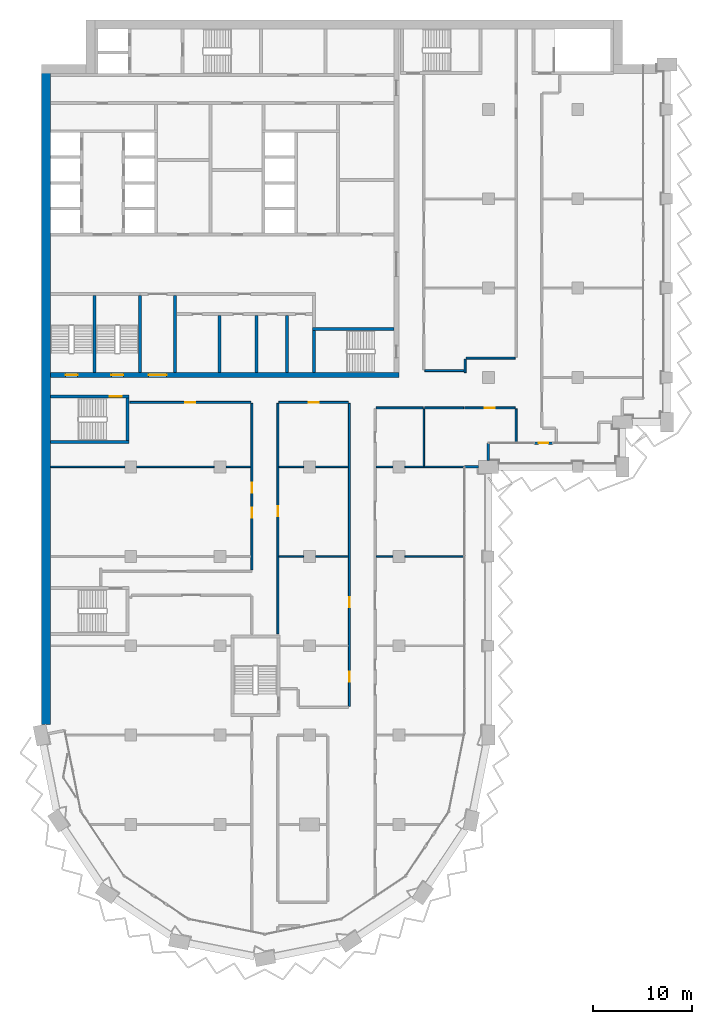
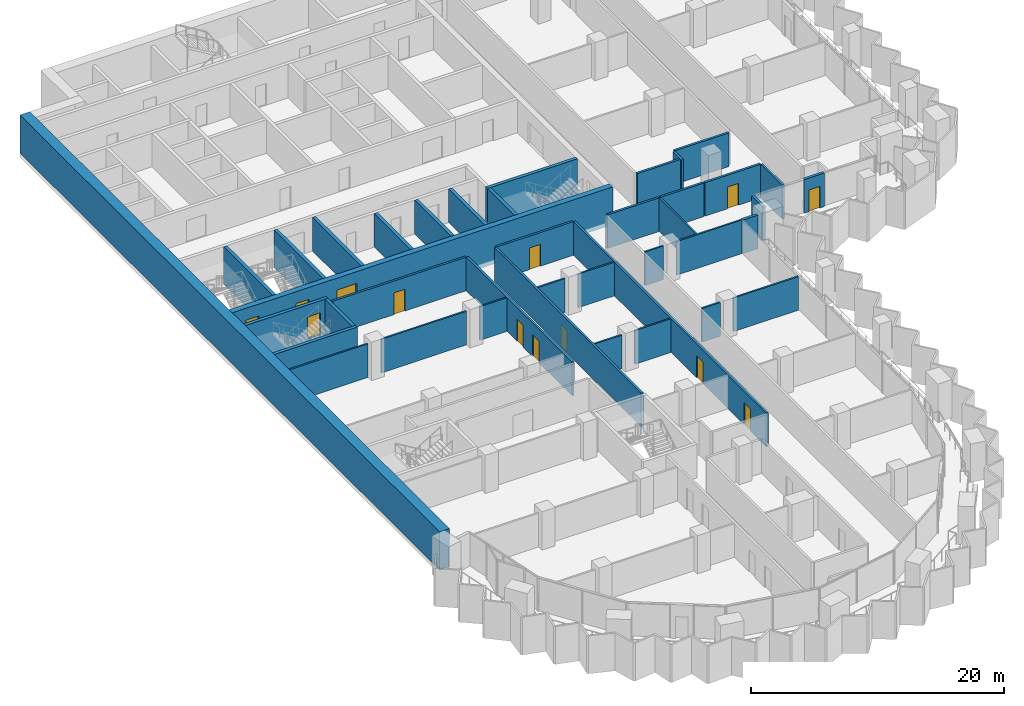
# One storey, part 12 of 22: 40 walls, 13 doors, 13 openings.
"""IFC4 building model written with IfcOpenShell, lengths in metres."""

from ifc_helpers import new_model, si_unit, direction, frame, frame_2d, origin, place, context, subcontext, project, spatial, rectangle, extrude, material, layer, layer_set, type_object, element, fill, save


model = new_model("IFC4")

# Units and contexts
model_context = context("Model", 3, precision=1e-05, world=origin(), true_north=direction((0.0, 1.0)))
body_context = subcontext(model_context, "Body", "Model", "MODEL_VIEW")
ifc_project = project(units=[si_unit("LENGTHUNIT", "METRE"), si_unit("AREAUNIT", "SQUARE_METRE"), si_unit("VOLUMEUNIT", "CUBIC_METRE"), si_unit("PLANEANGLEUNIT", "RADIAN"), si_unit("MASSUNIT", "GRAM", prefix="KILO")], contexts=[model_context])

# Site, building, storey
site_placement = place(None, origin())
site = spatial("IfcSite", under=ifc_project, at=site_placement, CompositionType="ELEMENT")
building_placement = place(site_placement, origin())
building = spatial("IfcBuilding", under=site, at=building_placement, Name="Hunhe Ridgeline Campus", CompositionType="ELEMENT")
storey_placement = place(building_placement, frame((0.0, 0.0, 174.5)))
storey = spatial("IfcBuildingStorey", under=building, at=storey_placement, Name="L44", CompositionType="ELEMENT", Elevation=174.5)

# Walls
ifc_material_1 = material(Name="Masonry concrete blockwork", Category="masonry")
ifc_layer_1 = layer(ifc_material_1, 0.300048828125)
ifc_layer_set_1 = layer_set([ifc_layer_1], Name="Core room partition 300 concrete block")
wall_type_1 = type_object("IfcWallType", Name="Core room partition 300 concrete block", PredefinedType="PARTITIONING", material=ifc_layer_set_1)
wall_1_placement = place(storey_placement, frame((13.449951171875, 63.5, 0.0), z_axis=(0.0, 0.0, 1.0), x_axis=(0.0, 1.0, 0.0)))
element("IfcWall", 1, at=wall_1_placement, inside=storey, type_object=wall_type_1, Name="L44 core partition 43", PredefinedType="PARTITIONING", context=body_context, shape_type="SweptSolid", body=[
    extrude(rectangle(XDim=7.75, YDim=0.300048828125, at=frame_2d((3.875, 0.0))), origin(), (0.0, 0.0, 1.0), 3.25),
])
for number, where, z_axis, x_axis, name in (
    (2, (17.949951171875, 63.5, 0.0), (0.0, 0.0, 1.0), (0.0, 1.0, 0.0), "L44 core partition 46"),
    (3, (21.64990234375, 63.5, 0.0), (0.0, 0.0, 1.0), (0.0, 1.0, 0.0), "L44 core partition 48"),
    (4, (24.75, 63.5, 0.0), (0.0, 0.0, 1.0), (0.0, 1.0, 0.0), "L44 core partition 53"),
):
    element("IfcWall", number, at=place(storey_placement, frame(where, z_axis=z_axis, x_axis=x_axis)), inside=storey, type_object=wall_type_1, Name=name, PredefinedType="PARTITIONING", context=body_context, shape_type="SweptSolid", body=[
        extrude(rectangle(XDim=5.75, YDim=0.300048828125, at=frame_2d((2.875, 0.0))), origin(), (0.0, 0.0, 1.0), 3.25),
    ])

# Wall, openings, doors
ifc_material_2 = material(Name="Concrete C70", Category="concrete")
ifc_layer_2 = layer(ifc_material_2, 0.5)
ifc_layer_set_2 = layer_set([ifc_layer_2], Name="Core wall 500 reinforced concrete C70")
wall_type_2 = type_object("IfcWallType", Name="Core wall 500 reinforced concrete C70", PredefinedType="SOLIDWALL", material=ifc_layer_set_2)
wall_2_placement = place(storey_placement, frame((0.89990234375, 63.25, -0.39990234375), z_axis=(0.0, 0.0, 1.0), x_axis=(1.0, 0.0, 0.0)))
wall_2 = element("IfcWall", 5, at=wall_2_placement, inside=storey, type_object=wall_type_2, Name="L44 core wall 7", PredefinedType="SOLIDWALL", context=body_context, shape_type="SweptSolid", body=[
    extrude(rectangle(XDim=35.10009765625, YDim=0.5, at=frame_2d((17.550048828125, 0.0))), origin(), (0.0, 0.0, 1.0), 3.64990234375),
])
opening_1_placement = place(wall_2_placement, frame((9.89990234375, 0.0, 0.39990234375)))
opening_1 = element("IfcOpeningElement", 6, at=opening_1_placement, cuts=wall_2, Name="Opening CD6", PredefinedType="OPENING", context=body_context, shape_type="SweptSolid", body=[
    extrude(rectangle(XDim=1.800048828125, YDim=2.10009765625, at=frame_2d((0.89990234375, 1.050048828125))), frame((0.0, 0.25, 0.0), z_axis=(0.0, -1.0, 0.0), x_axis=(1.0, 0.0, 0.0)), (0.0, 0.0, 1.0), 0.5),
])
opening_2_placement = place(wall_2_placement, frame((1.550048828125, 0.0, 0.39990234375)))
opening_2 = element("IfcOpeningElement", 7, at=opening_2_placement, cuts=wall_2, Name="Opening CD13", PredefinedType="OPENING", context=body_context, shape_type="SweptSolid", body=[
    extrude(rectangle(XDim=1.199951171875, YDim=2.10009765625, at=frame_2d((0.60009765625, 1.050048828125))), frame((0.0, 0.25, 0.0), z_axis=(0.0, -1.0, 0.0), x_axis=(1.0, 0.0, 0.0)), (0.0, 0.0, 1.0), 0.5),
])
opening_3_placement = place(wall_2_placement, frame((6.14990234375, 0.0, 0.39990234375)))
opening_3 = element("IfcOpeningElement", 8, at=opening_3_placement, cuts=wall_2, Name="Opening CD14", PredefinedType="OPENING", context=body_context, shape_type="SweptSolid", body=[
    extrude(rectangle(XDim=1.199951171875, YDim=2.10009765625, at=frame_2d((0.60009765625, 1.050048828125))), frame((0.0, 0.25, 0.0), z_axis=(0.0, -1.0, 0.0), x_axis=(1.0, 0.0, 0.0)), (0.0, 0.0, 1.0), 0.5),
])
ifc_material_3 = material(Name="Anodised aluminium and glass", Category="aluminium")
door_type_1 = type_object("IfcDoorType", Name="Glazed double door 1800x2100", OperationType="DOUBLE_DOOR_SINGLE_SWING", PredefinedType="DOOR", material=ifc_material_3)
door_1_placement = place(opening_1_placement, frame((1.800048828125, 0.0, 0.0), z_axis=(0.0, 0.0, 1.0), x_axis=(-1.0, 0.0, 0.0)))
door_1 = element("IfcDoor", 9, at=door_1_placement, inside=storey, type_object=door_type_1, Name="L44 door VEST-FLOOR", OperationType="DOUBLE_DOOR_SINGLE_SWING", OverallHeight=2.10009765625, OverallWidth=1.800048828125, PredefinedType="DOOR", context=body_context, shape_type="SweptSolid", body=[
    extrude(rectangle(XDim=1.800048828125, YDim=2.10009765625, at=frame_2d((0.89990234375, 1.050048828125))), frame((0.0, 0.02490234375, 0.0), z_axis=(0.0, -1.0, 0.0), x_axis=(1.0, 0.0, 0.0)), (0.0, 0.0, 1.0), 0.050048828125),
])
fill(opening_1, door_1)
ifc_material_4 = material(Name="Hollow metal fire door leaf")
door_type_2 = type_object("IfcDoorType", Name="Stair door 1200x2100 FD60", OperationType="SINGLE_SWING_LEFT", PredefinedType="DOOR", material=ifc_material_4)
door_2_placement = place(opening_2_placement, frame((1.199951171875, 0.0, 0.0), z_axis=(0.0, 0.0, 1.0), x_axis=(-1.0, 0.0, 0.0)))
door_2 = element("IfcDoor", 10, at=door_2_placement, inside=storey, type_object=door_type_2, Name="L44 door S3", OperationType="SINGLE_SWING_RIGHT", OverallHeight=2.10009765625, OverallWidth=1.199951171875, PredefinedType="DOOR", context=body_context, shape_type="SweptSolid", body=[
    extrude(rectangle(XDim=1.199951171875, YDim=2.10009765625, at=frame_2d((0.60009765625, 1.050048828125))), frame((0.0, 0.02490234375, 0.0), z_axis=(0.0, -1.0, 0.0), x_axis=(1.0, 0.0, 0.0)), (0.0, 0.0, 1.0), 0.050048828125),
])
fill(opening_2, door_2)
door_3_placement = place(opening_3_placement, frame((1.199951171875, 0.0, 0.0), z_axis=(0.0, 0.0, 1.0), x_axis=(-1.0, 0.0, 0.0)))
door_3 = element("IfcDoor", 11, at=door_3_placement, inside=storey, type_object=door_type_2, Name="L44 door S4", OperationType="SINGLE_SWING_LEFT", OverallHeight=2.10009765625, OverallWidth=1.199951171875, PredefinedType="DOOR", context=body_context, shape_type="SweptSolid", body=[
    extrude(rectangle(XDim=1.199951171875, YDim=2.10009765625, at=frame_2d((0.60009765625, 1.050048828125))), frame((0.0, 0.02490234375, 0.0), z_axis=(0.0, -1.0, 0.0), x_axis=(1.0, 0.0, 0.0)), (0.0, 0.0, 1.0), 0.050048828125),
])
fill(opening_3, door_3)

# Walls
ifc_material_5 = material(Name="Concrete C30", Category="concrete")
ifc_layer_3 = layer(ifc_material_5, 0.25)
ifc_layer_set_3 = layer_set([ifc_layer_3], Name="Corner return wall 250 Concrete C30")
wall_type_3 = type_object("IfcWallType", Name="Corner return wall 250 Concrete C30", PredefinedType="SOLIDWALL", material=ifc_layer_set_3)
wall_3_placement = place(storey_placement, frame((42.59912109375, 54.00048828125, 0.0), z_axis=(0.0, 0.0, 1.0), x_axis=(0.999999984814, 0.000174276749, 0.0)))
element("IfcWall", 12, at=wall_3_placement, inside=storey, type_object=wall_type_3, Name="Corner return wall 2", PredefinedType="SOLIDWALL", context=body_context, shape_type="SweptSolid", body=[
    extrude(rectangle(XDim=1.40087890625, YDim=0.25, at=frame_2d((0.700439453125, 0.0))), origin(), (0.0, 0.0, 1.0), 3.25),
])
wall_4_placement = place(storey_placement, frame((44.999267578125, 54.64990234375, 0.0), z_axis=(0.0, 0.0, 1.0), x_axis=(0.000278862231, 0.999999961118, 0.0)))
element("IfcWall", 13, at=wall_4_placement, inside=storey, type_object=wall_type_3, Name="Corner return wall 3", PredefinedType="SOLIDWALL", context=body_context, shape_type="SweptSolid", body=[
    extrude(rectangle(XDim=1.7509765625, YDim=0.25, at=frame_2d((0.87548828125, 0.0))), origin(), (0.0, 0.0, 1.0), 3.25),
])
ifc_material_6 = material(Name="Gypsum board partition")
ifc_layer_4 = layer(ifc_material_6, 0.199951171875)
ifc_layer_set_4 = layer_set([ifc_layer_4], Name="Corridor partition 200 gypsum board on steel studs")
wall_type_4 = type_object("IfcWallType", Name="Corridor partition 200 gypsum board on steel studs", PredefinedType="PARTITIONING", material=ifc_layer_set_4)
wall_5_placement = place(storey_placement, frame((38.425048828125, 59.950927734375, 0.0), z_axis=(0.0, 0.0, 1.0), x_axis=(-1.0, 0.0, 0.0)))
element("IfcWall", 14, at=wall_5_placement, inside=storey, type_object=wall_type_4, Name="F-L44-wall-043", PredefinedType="PARTITIONING", context=body_context, shape_type="SweptSolid", body=[
    extrude(rectangle(XDim=4.72509765625, YDim=0.199951171875, at=frame_2d((2.362548828125, 0.0))), origin(), (0.0, 0.0, 1.0), 3.25),
])
wall_6_placement = place(storey_placement, frame((42.5, 59.950927734375, 0.0), z_axis=(0.0, 0.0, 1.0), x_axis=(-1.0, 0.0, 0.0)))
element("IfcWall", 15, at=wall_6_placement, inside=storey, type_object=wall_type_4, Name="F-L44-wall-044", PredefinedType="PARTITIONING", context=body_context, shape_type="SweptSolid", body=[
    extrude(rectangle(XDim=3.925048828125, YDim=0.199951171875, at=frame_2d((1.96240234375, 0.0))), origin(), (0.0, 0.0, 1.0), 3.25),
])

# Wall, opening, door
wall_7_placement = place(storey_placement, frame((47.699951171875, 59.950927734375, 0.0), z_axis=(0.0, 0.0, 1.0), x_axis=(-1.0, 0.0, 0.0)))
wall_7 = element("IfcWall", 16, at=wall_7_placement, inside=storey, type_object=wall_type_4, Name="F-L44-wall-045", PredefinedType="PARTITIONING", context=body_context, shape_type="SweptSolid", body=[
    extrude(rectangle(XDim=5.099853515625, YDim=0.199951171875, at=frame_2d((2.5498046875, 0.0))), origin(), (0.0, 0.0, 1.0), 3.25),
])
opening_4_placement = place(wall_7_placement, frame((2.050048828125, 0.0, 0.0)))
opening_4 = element("IfcOpeningElement", 17, at=opening_4_placement, cuts=wall_7, Name="Opening RD1-023", PredefinedType="OPENING", context=body_context, shape_type="SweptSolid", body=[
    extrude(rectangle(XDim=1.0, YDim=2.10009765625, at=frame_2d((0.5, 1.050048828125))), frame((0.0, 0.10009765625, 0.0), z_axis=(0.0, -1.0, 0.0), x_axis=(1.0, 0.0, 0.0)), (0.0, 0.0, 1.0), 0.199951171875),
])
ifc_material_7 = material(Name="Timber door leaf", Category="wood")
door_type_3 = type_object("IfcDoorType", Name="Single fire door 1000x2100 timber FD60", OperationType="NOTDEFINED", PredefinedType="DOOR", material=ifc_material_7)
door_4_placement = place(opening_4_placement, origin())
door_4 = element("IfcDoor", 18, at=door_4_placement, inside=storey, type_object=door_type_3, Name="F-L44-door-023", OperationType="SINGLE_SWING_LEFT", OverallHeight=2.10009765625, OverallWidth=1.0, PredefinedType="DOOR", context=body_context, shape_type="SweptSolid", body=[
    extrude(rectangle(XDim=1.0, YDim=2.10009765625, at=frame_2d((0.5, 1.050048828125))), frame((0.0, 0.02490234375, 0.0), z_axis=(0.0, -1.0, 0.0), x_axis=(1.0, 0.0, 0.0)), (0.0, 0.0, 1.0), 0.050048828125),
])
fill(opening_4, door_4)

wall_8_placement = place(storey_placement, frame((21.10009765625, 60.5, 0.0), z_axis=(0.0, 0.0, 1.0), x_axis=(-1.0, 0.0, 0.0)))
wall_8 = element("IfcWall", 19, at=wall_8_placement, inside=storey, type_object=wall_type_4, Name="F-L44-wall-046", PredefinedType="PARTITIONING", context=body_context, shape_type="SweptSolid", body=[
    extrude(rectangle(XDim=12.196044921875, YDim=0.199951171875, at=frame_2d((6.09814453125, 0.0))), origin(), (0.0, 0.0, 1.0), 3.25),
])
opening_5_placement = place(wall_8_placement, frame((5.597900390625, 0.0, 0.0)))
opening_5 = element("IfcOpeningElement", 20, at=opening_5_placement, cuts=wall_8, Name="Opening RD1-024", PredefinedType="OPENING", context=body_context, shape_type="SweptSolid", body=[
    extrude(rectangle(XDim=1.0, YDim=2.10009765625, at=frame_2d((0.5, 1.050048828125))), frame((0.0, 0.10009765625, 0.0), z_axis=(0.0, -1.0, 0.0), x_axis=(1.0, 0.0, 0.0)), (0.0, 0.0, 1.0), 0.199951171875),
])
door_5_placement = place(opening_5_placement, origin())
door_5 = element("IfcDoor", 21, at=door_5_placement, inside=storey, type_object=door_type_3, Name="F-L44-door-024", OperationType="SINGLE_SWING_LEFT", OverallHeight=2.10009765625, OverallWidth=1.0, PredefinedType="DOOR", context=body_context, shape_type="SweptSolid", body=[
    extrude(rectangle(XDim=1.0, YDim=2.10009765625, at=frame_2d((0.5, 1.050048828125))), frame((0.0, 0.02490234375, 0.0), z_axis=(0.0, -1.0, 0.0), x_axis=(1.0, 0.0, 0.0)), (0.0, 0.0, 1.0), 0.050048828125),
])
fill(opening_5, door_5)

wall_9_placement = place(storey_placement, frame((30.89990234375, 60.5, 0.0), z_axis=(0.0, 0.0, 1.0), x_axis=(-1.0, 0.0, 0.0)))
wall_9 = element("IfcWall", 22, at=wall_9_placement, inside=storey, type_object=wall_type_4, Name="F-L44-wall-047", PredefinedType="PARTITIONING", context=body_context, shape_type="SweptSolid", body=[
    extrude(rectangle(XDim=7.0, YDim=0.199951171875, at=frame_2d((3.5, 0.0))), origin(), (0.0, 0.0, 1.0), 3.25),
])
opening_6_placement = place(wall_9_placement, frame((3.0, 0.0, 0.0)))
opening_6 = element("IfcOpeningElement", 23, at=opening_6_placement, cuts=wall_9, Name="Opening RD1-025", PredefinedType="OPENING", context=body_context, shape_type="SweptSolid", body=[
    extrude(rectangle(XDim=1.0, YDim=2.10009765625, at=frame_2d((0.5, 1.050048828125))), frame((0.0, 0.10009765625, 0.0), z_axis=(0.0, -1.0, 0.0), x_axis=(1.0, 0.0, 0.0)), (0.0, 0.0, 1.0), 0.199951171875),
])
door_6_placement = place(opening_6_placement, origin())
door_6 = element("IfcDoor", 24, at=door_6_placement, inside=storey, type_object=door_type_3, Name="F-L44-door-025", OperationType="SINGLE_SWING_RIGHT", OverallHeight=2.10009765625, OverallWidth=1.0, PredefinedType="DOOR", context=body_context, shape_type="SweptSolid", body=[
    extrude(rectangle(XDim=1.0, YDim=2.10009765625, at=frame_2d((0.5, 1.050048828125))), frame((0.0, 0.02490234375, 0.0), z_axis=(0.0, -1.0, 0.0), x_axis=(1.0, 0.0, 0.0)), (0.0, 0.0, 1.0), 0.050048828125),
])
fill(opening_6, door_6)

# Walls
wall_10_placement = place(storey_placement, frame((38.60009765625, 63.699951171875, 0.0), z_axis=(0.0, 0.0, 1.0), x_axis=(1.0, 0.0, 0.0)))
element("IfcWall", 25, at=wall_10_placement, inside=storey, type_object=wall_type_4, Name="F-L44-wall-050", PredefinedType="PARTITIONING", context=body_context, shape_type="SweptSolid", body=[
    extrude(rectangle(XDim=3.949951171875, YDim=0.199951171875, at=frame_2d((1.97509765625, 0.0))), origin(), (0.0, 0.0, 1.0), 3.25),
])
wall_11_placement = place(storey_placement, frame((42.75, 64.949951171875, 0.0), z_axis=(0.0, 0.0, 1.0), x_axis=(1.0, 0.0, 0.0)))
element("IfcWall", 26, at=wall_11_placement, inside=storey, type_object=wall_type_4, Name="F-L44-wall-051", PredefinedType="PARTITIONING", context=body_context, shape_type="SweptSolid", body=[
    extrude(rectangle(XDim=4.949951171875, YDim=0.199951171875, at=frame_2d((2.47509765625, 0.0))), origin(), (0.0, 0.0, 1.0), 3.25),
])

# Wall, openings, doors
wall_12_placement = place(storey_placement, frame((21.199951171875, 43.6474609375, 0.0), z_axis=(0.0, 0.0, 1.0), x_axis=(0.0, 1.0, 0.0)))
wall_12 = element("IfcWall", 27, at=wall_12_placement, inside=storey, type_object=wall_type_4, Name="F-L44-wall-065", PredefinedType="PARTITIONING", context=body_context, shape_type="SweptSolid", body=[
    extrude(rectangle(XDim=16.75244140625, YDim=0.199951171875, at=frame_2d((8.376220703125, 0.0))), origin(), (0.0, 0.0, 1.0), 3.25),
])
opening_7_placement = place(wall_12_placement, frame((5.250732421875, 0.0, 0.0)))
opening_7 = element("IfcOpeningElement", 28, at=opening_7_placement, cuts=wall_12, Name="Opening RD1-018", PredefinedType="OPENING", context=body_context, shape_type="SweptSolid", body=[
    extrude(rectangle(XDim=1.0, YDim=2.10009765625, at=frame_2d((0.5, 1.050048828125))), frame((0.0, 0.10009765625, 0.0), z_axis=(0.0, -1.0, 0.0), x_axis=(1.0, 0.0, 0.0)), (0.0, 0.0, 1.0), 0.199951171875),
])
opening_8_placement = place(wall_12_placement, frame((7.750732421875, 0.0, 0.0)))
opening_8 = element("IfcOpeningElement", 29, at=opening_8_placement, cuts=wall_12, Name="Opening RD1-021", PredefinedType="OPENING", context=body_context, shape_type="SweptSolid", body=[
    extrude(rectangle(XDim=1.0, YDim=2.10009765625, at=frame_2d((0.5, 1.050048828125))), frame((0.0, 0.10009765625, 0.0), z_axis=(0.0, -1.0, 0.0), x_axis=(1.0, 0.0, 0.0)), (0.0, 0.0, 1.0), 0.199951171875),
])
door_7_placement = place(opening_7_placement, frame((1.0, 0.0, 0.0), z_axis=(0.0, 0.0, 1.0), x_axis=(-1.0, 0.0, 0.0)))
door_7 = element("IfcDoor", 30, at=door_7_placement, inside=storey, type_object=door_type_3, Name="F-L44-door-018", OperationType="SINGLE_SWING_LEFT", OverallHeight=2.10009765625, OverallWidth=1.0, PredefinedType="DOOR", context=body_context, shape_type="SweptSolid", body=[
    extrude(rectangle(XDim=1.0, YDim=2.10009765625, at=frame_2d((0.5, 1.050048828125))), frame((0.0, 0.02490234375, 0.0), z_axis=(0.0, -1.0, 0.0), x_axis=(1.0, 0.0, 0.0)), (0.0, 0.0, 1.0), 0.050048828125),
])
fill(opening_7, door_7)
door_8_placement = place(opening_8_placement, frame((1.0, 0.0, 0.0), z_axis=(0.0, 0.0, 1.0), x_axis=(-1.0, 0.0, 0.0)))
door_8 = element("IfcDoor", 31, at=door_8_placement, inside=storey, type_object=door_type_3, Name="F-L44-door-021", OperationType="SINGLE_SWING_LEFT", OverallHeight=2.10009765625, OverallWidth=1.0, PredefinedType="DOOR", context=body_context, shape_type="SweptSolid", body=[
    extrude(rectangle(XDim=1.0, YDim=2.10009765625, at=frame_2d((0.5, 1.050048828125))), frame((0.0, 0.02490234375, 0.0), z_axis=(0.0, -1.0, 0.0), x_axis=(1.0, 0.0, 0.0)), (0.0, 0.0, 1.0), 0.050048828125),
])
fill(opening_8, door_8)

# Wall, opening, door
wall_13_placement = place(storey_placement, frame((23.800048828125, 60.39990234375, 0.0), z_axis=(0.0, 0.0, 1.0), x_axis=(0.0, -1.0, 0.0)))
wall_13 = element("IfcWall", 32, at=wall_13_placement, inside=storey, type_object=wall_type_4, Name="F-L44-wall-068", PredefinedType="PARTITIONING", context=body_context, shape_type="SweptSolid", body=[
    extrude(rectangle(XDim=23.19580078125, YDim=0.199951171875, at=frame_2d((11.597900390625, 0.0))), origin(), (0.0, 0.0, 1.0), 3.25),
])
opening_9_placement = place(wall_13_placement, frame((10.341552734375, 0.0, 0.0)))
opening_9 = element("IfcOpeningElement", 33, at=opening_9_placement, cuts=wall_13, Name="Opening RD1-019", PredefinedType="OPENING", context=body_context, shape_type="SweptSolid", body=[
    extrude(rectangle(XDim=1.0, YDim=2.10009765625, at=frame_2d((0.5, 1.050048828125))), frame((0.0, 0.10009765625, 0.0), z_axis=(0.0, -1.0, 0.0), x_axis=(1.0, 0.0, 0.0)), (0.0, 0.0, 1.0), 0.199951171875),
])
door_9_placement = place(opening_9_placement, origin())
door_9 = element("IfcDoor", 34, at=door_9_placement, inside=storey, type_object=door_type_3, Name="F-L44-door-019", OperationType="SINGLE_SWING_RIGHT", OverallHeight=2.10009765625, OverallWidth=1.0, PredefinedType="DOOR", context=body_context, shape_type="SweptSolid", body=[
    extrude(rectangle(XDim=1.0, YDim=2.10009765625, at=frame_2d((0.5, 1.050048828125))), frame((0.0, 0.02490234375, 0.0), z_axis=(0.0, -1.0, 0.0), x_axis=(1.0, 0.0, 0.0)), (0.0, 0.0, 1.0), 0.050048828125),
])
fill(opening_9, door_9)

# Wall, openings, doors
wall_14_placement = place(storey_placement, frame((31.0, 29.89892578125, 0.0), z_axis=(0.0, 0.0, 1.0), x_axis=(0.0, 1.0, 0.0)))
wall_14 = element("IfcWall", 35, at=wall_14_placement, inside=storey, type_object=wall_type_4, Name="F-L44-wall-071", PredefinedType="PARTITIONING", context=body_context, shape_type="SweptSolid", body=[
    extrude(rectangle(XDim=30.5009765625, YDim=0.199951171875, at=frame_2d((15.25048828125, 0.0))), origin(), (0.0, 0.0, 1.0), 3.25),
])
opening_10_placement = place(wall_14_placement, frame((2.5, 0.0, 0.0)))
opening_10 = element("IfcOpeningElement", 36, at=opening_10_placement, cuts=wall_14, Name="Opening RD1-012", PredefinedType="OPENING", context=body_context, shape_type="SweptSolid", body=[
    extrude(rectangle(XDim=1.0, YDim=2.10009765625, at=frame_2d((0.5, 1.050048828125))), frame((0.0, 0.10009765625, 0.0), z_axis=(0.0, -1.0, 0.0), x_axis=(1.0, 0.0, 0.0)), (0.0, 0.0, 1.0), 0.199951171875),
])
opening_11_placement = place(wall_14_placement, frame((10.000244140625, 0.0, 0.0)))
opening_11 = element("IfcOpeningElement", 37, at=opening_11_placement, cuts=wall_14, Name="Opening RD1-014", PredefinedType="OPENING", context=body_context, shape_type="SweptSolid", body=[
    extrude(rectangle(XDim=1.0, YDim=2.10009765625, at=frame_2d((0.5, 1.050048828125))), frame((0.0, 0.10009765625, 0.0), z_axis=(0.0, -1.0, 0.0), x_axis=(1.0, 0.0, 0.0)), (0.0, 0.0, 1.0), 0.199951171875),
])
door_10_placement = place(opening_10_placement, origin())
door_10 = element("IfcDoor", 38, at=door_10_placement, inside=storey, type_object=door_type_3, Name="F-L44-door-012", OperationType="SINGLE_SWING_RIGHT", OverallHeight=2.10009765625, OverallWidth=1.0, PredefinedType="DOOR", context=body_context, shape_type="SweptSolid", body=[
    extrude(rectangle(XDim=1.0, YDim=2.10009765625, at=frame_2d((0.5, 1.050048828125))), frame((0.0, 0.02490234375, 0.0), z_axis=(0.0, -1.0, 0.0), x_axis=(1.0, 0.0, 0.0)), (0.0, 0.0, 1.0), 0.050048828125),
])
fill(opening_10, door_10)
door_11_placement = place(opening_11_placement, origin())
door_11 = element("IfcDoor", 39, at=door_11_placement, inside=storey, type_object=door_type_3, Name="F-L44-door-014", OperationType="SINGLE_SWING_RIGHT", OverallHeight=2.10009765625, OverallWidth=1.0, PredefinedType="DOOR", context=body_context, shape_type="SweptSolid", body=[
    extrude(rectangle(XDim=1.0, YDim=2.10009765625, at=frame_2d((0.5, 1.050048828125))), frame((0.0, 0.02490234375, 0.0), z_axis=(0.0, -1.0, 0.0), x_axis=(1.0, 0.0, 0.0)), (0.0, 0.0, 1.0), 0.050048828125),
])
fill(opening_11, door_11)

# Walls
wall_15_placement = place(storey_placement, frame((42.64990234375, 63.487548828125, 0.0), z_axis=(0.0, 0.0, 1.0), x_axis=(0.0, 1.0, 0.0)))
element("IfcWall", 40, at=wall_15_placement, inside=storey, type_object=wall_type_4, Name="F-L44-wall-075", PredefinedType="PARTITIONING", context=body_context, shape_type="SweptSolid", body=[
    extrude(rectangle(XDim=1.362548828125, YDim=0.199951171875, at=frame_2d((0.68115234375, 0.0))), origin(), (0.0, 0.0, 1.0), 3.25),
])
wall_16_placement = place(storey_placement, frame((47.800048828125, 56.455078125, 0.0), z_axis=(0.0, 0.0, 1.0), x_axis=(0.0, 1.0, 0.0)))
element("IfcWall", 41, at=wall_16_placement, inside=storey, type_object=wall_type_4, Name="F-L44-wall-076", PredefinedType="PARTITIONING", context=body_context, shape_type="SweptSolid", body=[
    extrude(rectangle(XDim=3.39599609375, YDim=0.199951171875, at=frame_2d((1.697998046875, 0.0))), origin(), (0.0, 0.0, 1.0), 3.25),
])

# Wall, opening, door
ifc_layer_5 = layer(ifc_material_5, 0.25)
ifc_layer_set_5 = layer_set([ifc_layer_5], Name="Loggia door pier wall 250 Concrete C30")
wall_type_5 = type_object("IfcWallType", Name="Loggia door pier wall 250 Concrete C30", PredefinedType="SOLIDWALL", material=ifc_layer_set_5)
wall_17_placement = place(storey_placement, frame((49.6494140625, 56.40087890625, 0.0), z_axis=(0.0, 0.0, 1.0), x_axis=(1.0, 0.0, 0.0)))
wall_17 = element("IfcWall", 42, at=wall_17_placement, inside=storey, type_object=wall_type_5, Name="Loggia door pier 3", PredefinedType="SOLIDWALL", context=body_context, shape_type="SweptSolid", body=[
    extrude(rectangle(XDim=1.800048828125, YDim=0.25, at=frame_2d((0.89990234375, 0.0))), origin(), (0.0, 0.0, 1.0), 3.25),
])
opening_12_placement = place(wall_17_placement, frame((0.39990234375, 0.0, 0.0)))
opening_12 = element("IfcOpeningElement", 43, at=opening_12_placement, cuts=wall_17, Name="Opening BD306", PredefinedType="OPENING", context=body_context, shape_type="SweptSolid", body=[
    extrude(rectangle(XDim=1.0, YDim=2.10009765625, at=frame_2d((0.5, 1.050048828125))), frame((0.0, 0.125, 0.0), z_axis=(0.0, -1.0, 0.0), x_axis=(1.0, 0.0, 0.0)), (0.0, 0.0, 1.0), 0.25),
])
ifc_material_8 = material(Name="Aluminium 6063", Category="aluminium")
door_type_4 = type_object("IfcDoorType", Name="Loggia glazed door 1000x2100", OperationType="NOTDEFINED", PredefinedType="DOOR", material=ifc_material_8)
door_12_placement = place(opening_12_placement, frame((1.0, 0.0, 0.0), z_axis=(0.0, 0.0, 1.0), x_axis=(-1.0, 0.0, 0.0)))
door_12 = element("IfcDoor", 44, at=door_12_placement, inside=storey, type_object=door_type_4, Name="Loggia door BD306", OperationType="SINGLE_SWING_LEFT", OverallHeight=2.10009765625, OverallWidth=1.0, PredefinedType="DOOR", context=body_context, shape_type="SweptSolid", body=[
    extrude(rectangle(XDim=1.0, YDim=2.10009765625, at=frame_2d((0.5, 1.050048828125))), frame((0.0, 0.02490234375, 0.0), z_axis=(0.0, -1.0, 0.0), x_axis=(1.0, 0.0, 0.0)), (0.0, 0.0, 1.0), 0.050048828125),
])
fill(opening_12, door_12)

# Walls
ifc_layer_6 = layer(ifc_material_6, 0.14990234375)
ifc_layer_set_6 = layer_set([ifc_layer_6], Name="Room partition 150 gypsum board on steel studs")
wall_type_6 = type_object("IfcWallType", Name="Room partition 150 gypsum board on steel studs", PredefinedType="PARTITIONING", material=ifc_layer_set_6)
wall_18_placement = place(storey_placement, frame((23.89990234375, 45.0, 0.0), z_axis=(0.0, 0.0, 1.0), x_axis=(1.0, 0.0, 0.0)))
element("IfcWall", 45, at=wall_18_placement, inside=storey, type_object=wall_type_6, Name="F-L44-wall-031", PredefinedType="PARTITIONING", context=body_context, shape_type="SweptSolid", body=[
    extrude(rectangle(XDim=2.5, YDim=0.14990234375, at=frame_2d((1.25, 0.0))), origin(), (0.0, 0.0, 1.0), 3.25),
])
wall_19_placement = place(storey_placement, frame((27.60009765625, 45.0, 0.0), z_axis=(0.0, 0.0, 1.0), x_axis=(1.0, 0.0, 0.0)))
element("IfcWall", 46, at=wall_19_placement, inside=storey, type_object=wall_type_6, Name="F-L44-wall-032", PredefinedType="PARTITIONING", context=body_context, shape_type="SweptSolid", body=[
    extrude(rectangle(XDim=3.2998046875, YDim=0.14990234375, at=frame_2d((1.64990234375, 0.0))), origin(), (0.0, 0.0, 1.0), 3.25),
])
wall_20_placement = place(storey_placement, frame((33.699951171875, 45.0, 0.0), z_axis=(0.0, 0.0, 1.0), x_axis=(1.0, 0.0, 0.0)))
element("IfcWall", 47, at=wall_20_placement, inside=storey, type_object=wall_type_6, Name="F-L44-wall-033", PredefinedType="PARTITIONING", context=body_context, shape_type="SweptSolid", body=[
    extrude(rectangle(XDim=1.699951171875, YDim=0.14990234375, at=frame_2d((0.85009765625, 0.0))), origin(), (0.0, 0.0, 1.0), 3.25),
])
wall_21_placement = place(storey_placement, frame((36.60009765625, 45.0, 0.0), z_axis=(0.0, 0.0, 1.0), x_axis=(1.0, 0.0, 0.0)))
element("IfcWall", 48, at=wall_21_placement, inside=storey, type_object=wall_type_6, Name="F-L44-wall-034", PredefinedType="PARTITIONING", context=body_context, shape_type="SweptSolid", body=[
    extrude(rectangle(XDim=5.945068359375, YDim=0.14990234375, at=frame_2d((2.97265625, 0.0))), origin(), (0.0, 0.0, 1.0), 3.25),
])
wall_22_placement = place(storey_placement, frame((0.919921875, 54.0, 0.0), z_axis=(0.0, 0.0, 1.0), x_axis=(1.0, 0.0, 0.0)))
element("IfcWall", 49, at=wall_22_placement, inside=storey, type_object=wall_type_6, Name="F-L44-wall-035", PredefinedType="PARTITIONING", context=body_context, shape_type="SweptSolid", body=[
    extrude(rectangle(XDim=7.47998046875, YDim=0.14990234375, at=frame_2d((3.739990234375, 0.0))), origin(), (0.0, 0.0, 1.0), 3.25),
])
wall_23_placement = place(storey_placement, frame((9.60009765625, 54.0, 0.0), z_axis=(0.0, 0.0, 1.0), x_axis=(1.0, 0.0, 0.0)))
element("IfcWall", 50, at=wall_23_placement, inside=storey, type_object=wall_type_6, Name="F-L44-wall-036", PredefinedType="PARTITIONING", context=body_context, shape_type="SweptSolid", body=[
    extrude(rectangle(XDim=7.7998046875, YDim=0.14990234375, at=frame_2d((3.89990234375, 0.0))), origin(), (0.0, 0.0, 1.0), 3.25),
])
for number, where, z_axis, x_axis, name in (
    (51, (18.60009765625, 54.0, 0.0), (0.0, 0.0, 1.0), (1.0, 0.0, 0.0), "F-L44-wall-037"),
    (52, (23.89990234375, 54.0, 0.0), (0.0, 0.0, 1.0), (1.0, 0.0, 0.0), "F-L44-wall-038"),
):
    element("IfcWall", number, at=place(storey_placement, frame(where, z_axis=z_axis, x_axis=x_axis)), inside=storey, type_object=wall_type_6, Name=name, PredefinedType="PARTITIONING", context=body_context, shape_type="SweptSolid", body=[
        extrude(rectangle(XDim=2.5, YDim=0.14990234375, at=frame_2d((1.25, 0.0))), origin(), (0.0, 0.0, 1.0), 3.25),
    ])
wall_24_placement = place(storey_placement, frame((27.60009765625, 54.0, 0.0), z_axis=(0.0, 0.0, 1.0), x_axis=(1.0, 0.0, 0.0)))
element("IfcWall", 53, at=wall_24_placement, inside=storey, type_object=wall_type_6, Name="F-L44-wall-039", PredefinedType="PARTITIONING", context=body_context, shape_type="SweptSolid", body=[
    extrude(rectangle(XDim=3.2998046875, YDim=0.14990234375, at=frame_2d((1.64990234375, 0.0))), origin(), (0.0, 0.0, 1.0), 3.25),
])
wall_25_placement = place(storey_placement, frame((33.699951171875, 54.0, 0.0), z_axis=(0.0, 0.0, 1.0), x_axis=(1.0, 0.0, 0.0)))
element("IfcWall", 54, at=wall_25_placement, inside=storey, type_object=wall_type_6, Name="F-L44-wall-040", PredefinedType="PARTITIONING", context=body_context, shape_type="SweptSolid", body=[
    extrude(rectangle(XDim=1.699951171875, YDim=0.14990234375, at=frame_2d((0.85009765625, 0.0))), origin(), (0.0, 0.0, 1.0), 3.25),
])
wall_26_placement = place(storey_placement, frame((36.60009765625, 54.0, 0.0), z_axis=(0.0, 0.0, 1.0), x_axis=(1.0, 0.0, 0.0)))
element("IfcWall", 55, at=wall_26_placement, inside=storey, type_object=wall_type_6, Name="F-L44-wall-041", PredefinedType="PARTITIONING", context=body_context, shape_type="SweptSolid", body=[
    extrude(rectangle(XDim=5.945068359375, YDim=0.14990234375, at=frame_2d((2.97265625, 0.0))), origin(), (0.0, 0.0, 1.0), 3.25),
])
wall_27_placement = place(storey_placement, frame((38.5, 59.85107421875, 0.0), z_axis=(0.0, 0.0, 1.0), x_axis=(0.0, -1.0, 0.0)))
element("IfcWall", 56, at=wall_27_placement, inside=storey, type_object=wall_type_6, Name="F-L44-wall-073", PredefinedType="PARTITIONING", context=body_context, shape_type="SweptSolid", body=[
    extrude(rectangle(XDim=5.776123046875, YDim=0.14990234375, at=frame_2d((2.88818359375, 0.0))), origin(), (0.0, 0.0, 1.0), 3.25),
])
ifc_layer_7 = layer(ifc_material_2, 0.89990234375)
ifc_layer_set_7 = layer_set([ifc_layer_7], Name="Spine wall 900 Concrete C70")
wall_type_7 = type_object("IfcWallType", Name="Spine wall 900 Concrete C70", PredefinedType="SHEAR", material=ifc_layer_set_7)
wall_28_placement = place(storey_placement, frame((0.449951171875, 94.5, 0.0), z_axis=(0.0, 0.0, 1.0), x_axis=(0.0, -1.0, 0.0)))
element("IfcWall", 57, at=wall_28_placement, inside=storey, type_object=wall_type_7, Name="Spine wall SW2-1 L44", PredefinedType="SHEAR", context=body_context, shape_type="SweptSolid", body=[
    extrude(rectangle(XDim=66.430419921875, YDim=0.89990234375, at=frame_2d((33.21533203125, 0.0))), origin(), (0.0, 0.0, 1.0), 3.699951171875),
])
ifc_layer_8 = layer(ifc_material_2, 0.300048828125)
ifc_layer_set_8 = layer_set([ifc_layer_8], Name="Stair wall 300 reinforced concrete C70")
wall_type_8 = type_object("IfcWallType", Name="Stair wall 300 reinforced concrete C70", PredefinedType="SOLIDWALL", material=ifc_layer_set_8)
wall_29_placement = place(storey_placement, frame((0.89990234375, 56.5, -0.39990234375), z_axis=(0.0, 0.0, 1.0), x_axis=(1.0, 0.0, 0.0)))
element("IfcWall", 58, at=wall_29_placement, inside=storey, type_object=wall_type_8, Name="L44 core wall 5", PredefinedType="SOLIDWALL", context=body_context, shape_type="SweptSolid", body=[
    extrude(rectangle(XDim=7.900146484375, YDim=0.300048828125, at=frame_2d((3.9501953125, 0.0))), origin(), (0.0, 0.0, 1.0), 3.64990234375),
])

# Wall, opening, door
wall_30_placement = place(storey_placement, frame((0.89990234375, 61.10009765625, -0.39990234375), z_axis=(0.0, 0.0, 1.0), x_axis=(1.0, 0.0, 0.0)))
wall_30 = element("IfcWall", 59, at=wall_30_placement, inside=storey, type_object=wall_type_8, Name="L44 core wall 6", PredefinedType="SOLIDWALL", context=body_context, shape_type="SweptSolid", body=[
    extrude(rectangle(XDim=7.900146484375, YDim=0.300048828125, at=frame_2d((3.9501953125, 0.0))), origin(), (0.0, 0.0, 1.0), 3.64990234375),
])
opening_13_placement = place(wall_30_placement, frame((6.0, 0.0, 0.39990234375)))
opening_13 = element("IfcOpeningElement", 60, at=opening_13_placement, cuts=wall_30, Name="Opening CD22", PredefinedType="OPENING", context=body_context, shape_type="SweptSolid", body=[
    extrude(rectangle(XDim=1.199951171875, YDim=2.10009765625, at=frame_2d((0.60009765625, 1.050048828125))), frame((0.0, 0.14990234375, 0.0), z_axis=(0.0, -1.0, 0.0), x_axis=(1.0, 0.0, 0.0)), (0.0, 0.0, 1.0), 0.300048828125),
])
door_13_placement = place(opening_13_placement, origin())
door_13 = element("IfcDoor", 61, at=door_13_placement, inside=storey, type_object=door_type_2, Name="L44 door W2", OperationType="SINGLE_SWING_RIGHT", OverallHeight=2.10009765625, OverallWidth=1.199951171875, PredefinedType="DOOR", context=body_context, shape_type="SweptSolid", body=[
    extrude(rectangle(XDim=1.199951171875, YDim=2.10009765625, at=frame_2d((0.60009765625, 1.050048828125))), frame((0.0, 0.02490234375, 0.0), z_axis=(0.0, -1.0, 0.0), x_axis=(1.0, 0.0, 0.0)), (0.0, 0.0, 1.0), 0.050048828125),
])
fill(opening_13, door_13)

# Walls
wall_31_placement = place(storey_placement, frame((27.300048828125, 67.89990234375, -0.39990234375), z_axis=(0.0, 0.0, 1.0), x_axis=(1.0, 0.0, 0.0)))
element("IfcWall", 62, at=wall_31_placement, inside=storey, type_object=wall_type_8, Name="L44 core wall 8", PredefinedType="SOLIDWALL", context=body_context, shape_type="SweptSolid", body=[
    extrude(rectangle(XDim=8.199951171875, YDim=0.300048828125, at=frame_2d((4.10009765625, 0.0))), origin(), (0.0, 0.0, 1.0), 3.64990234375),
])
wall_32_placement = place(storey_placement, frame((5.35009765625, 63.5, -0.39990234375), z_axis=(0.0, 0.0, 1.0), x_axis=(0.0, 1.0, 0.0)))
element("IfcWall", 63, at=wall_32_placement, inside=storey, type_object=wall_type_8, Name="L44 core wall 34", PredefinedType="SOLIDWALL", context=body_context, shape_type="SweptSolid", body=[
    extrude(rectangle(XDim=7.75, YDim=0.300048828125, at=frame_2d((3.875, 0.0))), origin(), (0.0, 0.0, 1.0), 3.64990234375),
])
wall_33_placement = place(storey_placement, frame((8.64990234375, 56.64990234375, -0.39990234375), z_axis=(0.0, 0.0, 1.0), x_axis=(0.0, 1.0, 0.0)))
element("IfcWall", 64, at=wall_33_placement, inside=storey, type_object=wall_type_8, Name="L44 core wall 38", PredefinedType="SOLIDWALL", context=body_context, shape_type="SweptSolid", body=[
    extrude(rectangle(XDim=4.300048828125, YDim=0.300048828125, at=frame_2d((2.14990234375, 0.0))), origin(), (0.0, 0.0, 1.0), 3.64990234375),
])
wall_34_placement = place(storey_placement, frame((9.949951171875, 63.5, -0.39990234375), z_axis=(0.0, 0.0, 1.0), x_axis=(0.0, 1.0, 0.0)))
element("IfcWall", 65, at=wall_34_placement, inside=storey, type_object=wall_type_8, Name="L44 core wall 40", PredefinedType="SOLIDWALL", context=body_context, shape_type="SweptSolid", body=[
    extrude(rectangle(XDim=7.75, YDim=0.300048828125, at=frame_2d((3.875, 0.0))), origin(), (0.0, 0.0, 1.0), 3.64990234375),
])
wall_35_placement = place(storey_placement, frame((27.449951171875, 63.5, -0.39990234375), z_axis=(0.0, 0.0, 1.0), x_axis=(0.0, 1.0, 0.0)))
element("IfcWall", 66, at=wall_35_placement, inside=storey, type_object=wall_type_8, Name="L44 core wall 55", PredefinedType="SOLIDWALL", context=body_context, shape_type="SweptSolid", body=[
    extrude(rectangle(XDim=4.25, YDim=0.300048828125, at=frame_2d((2.125, 0.0))), origin(), (0.0, 0.0, 1.0), 3.64990234375),
])

save(model, "model.ifc")
